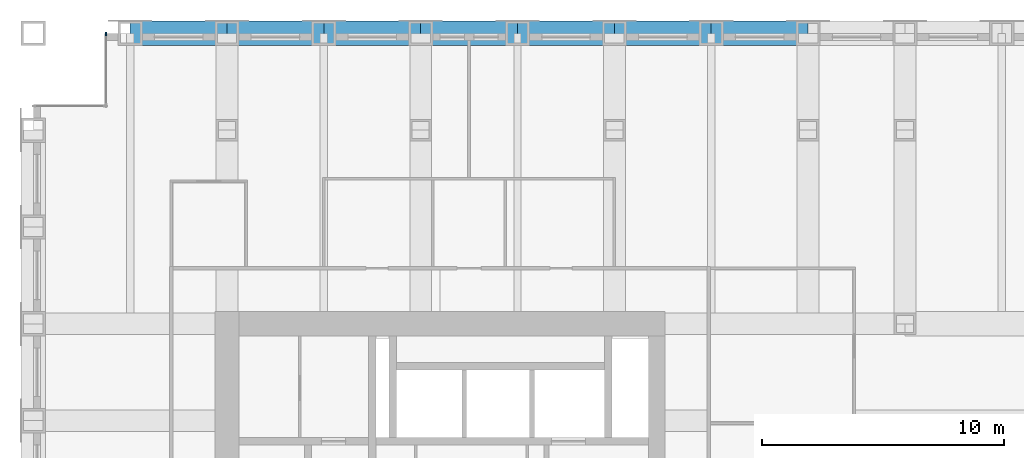
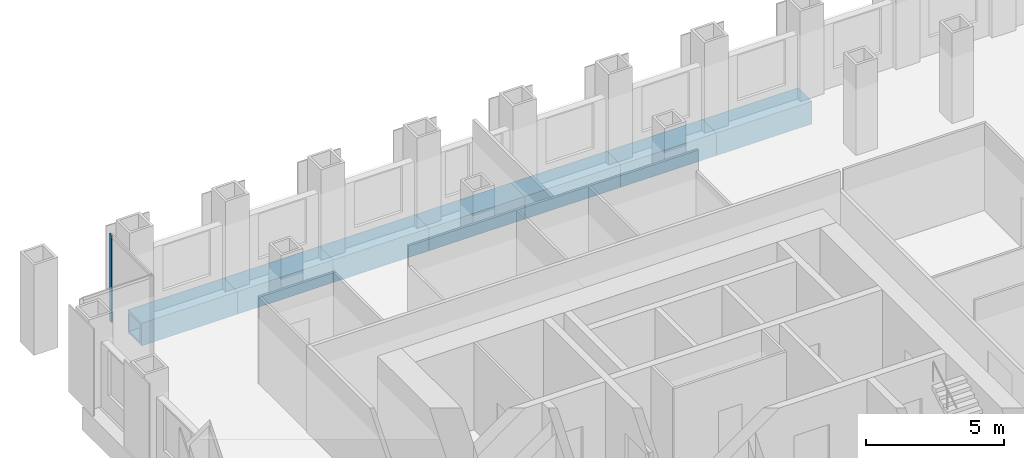
# One storey, part 8 of 16: 7 beams, 1 member, 1 element without a shape of its own.
"""IFC4 building model written with IfcOpenShell, lengths in metres."""

from ifc_helpers import new_model, si_unit, direction, frame, origin, origin_2d, place, context, subcontext, project, spatial, rectangle, hollow_rectangle, extrude, material, material_profile, profile_set, type_object, element, aggregate, save


model = new_model("IFC4")

# Units and contexts
model_context = context("Model", 3, precision=1e-05, world=origin(), true_north=direction((0.0, 1.0)))
body_context = subcontext(model_context, "Body", "Model", "MODEL_VIEW")
ifc_project = project(units=[si_unit("LENGTHUNIT", "METRE"), si_unit("AREAUNIT", "SQUARE_METRE"), si_unit("VOLUMEUNIT", "CUBIC_METRE"), si_unit("PLANEANGLEUNIT", "RADIAN"), si_unit("MASSUNIT", "GRAM", prefix="KILO")], contexts=[model_context])

# Site, building, storey
site_placement = place(None, origin())
site = spatial("IfcSite", under=ifc_project, at=site_placement, CompositionType="ELEMENT")
building_placement = place(site_placement, origin())
building = spatial("IfcBuilding", under=site, at=building_placement, Name="Rimbunsela Tower", CompositionType="ELEMENT")
storey_placement = place(building_placement, frame((0.0, 0.0, 85.39990234375)))
storey = spatial("IfcBuildingStorey", under=building, at=storey_placement, Name="L20", CompositionType="ELEMENT", Elevation=85.39990234375)

# Beams
ifc_material_1 = material(Name="Steel BJ 55 (fy 410 MPa)", Category="steel")
ifc_material_profile_1 = material_profile(ifc_material_1, hollow_rectangle(XDim=1.0, YDim=1.0, WallThickness=0.10009765625, at=origin_2d()), Name="BOX 1000x1000x100")
ifc_profile_set_1 = profile_set([ifc_material_profile_1], Name="Steel BJ 55 (fy 410 MPa)")
beam_type = type_object("IfcBeamType", Name="Beam BOX 1000x1000x100", PredefinedType="BEAM", material=ifc_profile_set_1)
for number, where, z_axis, x_axis, name in (
    (1, (14.0, 48.0, -0.64990234375), (1.0, 0.0, 0.0), (0.0, 1.0, 0.0), "Beam B3 L20"),
    (2, (18.0, 48.0, -0.64990234375), (1.0, 0.0, 0.0), (0.0, 1.0, 0.0), "Beam B3 L20"),
    (3, (22.0, 48.0, -0.64990234375), (1.0, 0.0, 0.0), (0.0, 1.0, 0.0), "Beam B3 L20"),
    (4, (26.0, 48.0, -0.64990234375), (1.0, 0.0, 0.0), (0.0, 1.0, 0.0), "Beam B3 L20"),
    (5, (30.0, 48.0, -0.64990234375), (1.0, 0.0, 0.0), (0.0, 1.0, 0.0), "Beam B3 L20"),
    (6, (34.0, 48.0, -0.64990234375), (1.0, 0.0, 0.0), (0.0, 1.0, 0.0), "Beam B3 L20"),
    (7, (38.0, 48.0, -0.64990234375), (1.0, 0.0, 0.0), (0.0, 1.0, 0.0), "Beam B3 L20"),
):
    element("IfcBeam", number, at=place(storey_placement, frame(where, z_axis=z_axis, x_axis=x_axis)), inside=storey, type_object=beam_type, Name=name, PredefinedType="BEAM", context=body_context, shape_type="SweptSolid", body=[
        extrude(hollow_rectangle(XDim=1.0, YDim=1.0, WallThickness=0.10009765625, at=origin_2d()), origin(), (0.0, 0.0, 1.0), 4.0),
    ])

# Curtain wall, member
ifc_material_2 = material(Name="Aluminium curtain wall", Category="aluminium")
curtain_wall_type = type_object("IfcCurtainWallType", Name="Corner glazing", PredefinedType="USERDEFINED", material=ifc_material_2)
curtain_wall_placement = place(storey_placement, origin())
curtain_wall = element("IfcCurtainWall", 8, at=curtain_wall_placement, inside=storey, type_object=curtain_wall_type, Name="Corner glazing L20", ObjectType="CORNER GLAZING", PredefinedType="USERDEFINED")
ifc_material_3 = material(Name="Aluminium mullion", Category="aluminium")
ifc_material_profile_2 = material_profile(ifc_material_3, rectangle(XDim=0.06005859375, YDim=0.159912109375, at=origin_2d()), Name="Mullion 60x160")
ifc_profile_set_2 = profile_set([ifc_material_profile_2], Name="Aluminium mullion")
member_type = type_object("IfcMemberType", Name="Curtain wall mullion 60x160", PredefinedType="MULLION", material=ifc_profile_set_2)
member_placement = place(storey_placement, frame((13.0, 47.969970703125, 0.0), z_axis=(0.0, 0.0, 1.0), x_axis=(1.0, 0.0, 0.0)))
member = element("IfcMember", 9, at=member_placement, type_object=member_type, Name="CW5 mullion 1", PredefinedType="MULLION", context=body_context, shape_type="SweptSolid", body=[
    extrude(rectangle(XDim=0.06005859375, YDim=0.159912109375, at=origin_2d()), origin(), (0.0, 0.0, 1.0), 3.85009765625),
])
aggregate(curtain_wall, [member])

save(model, "model.ifc")
